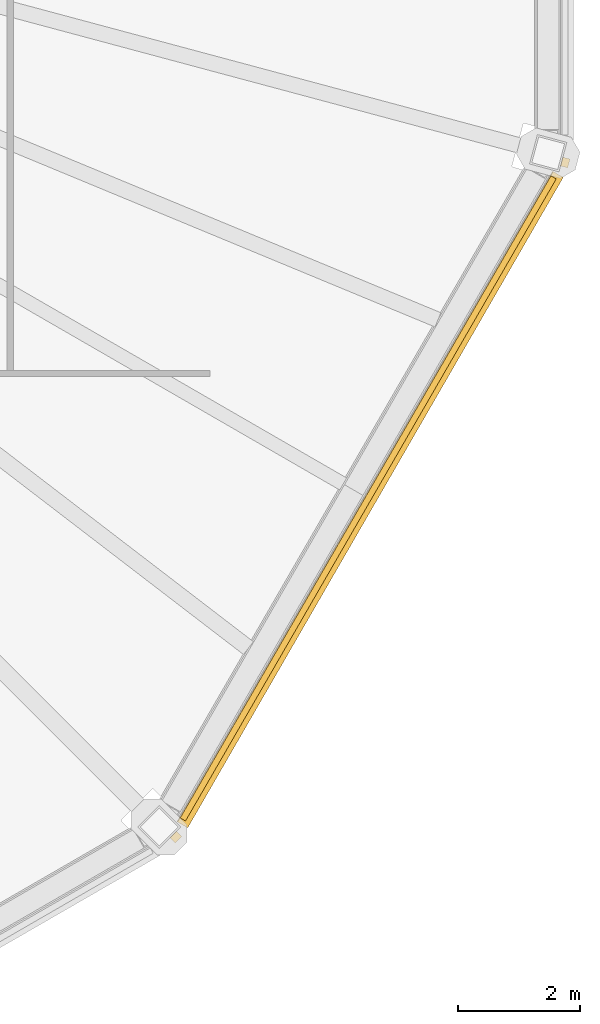
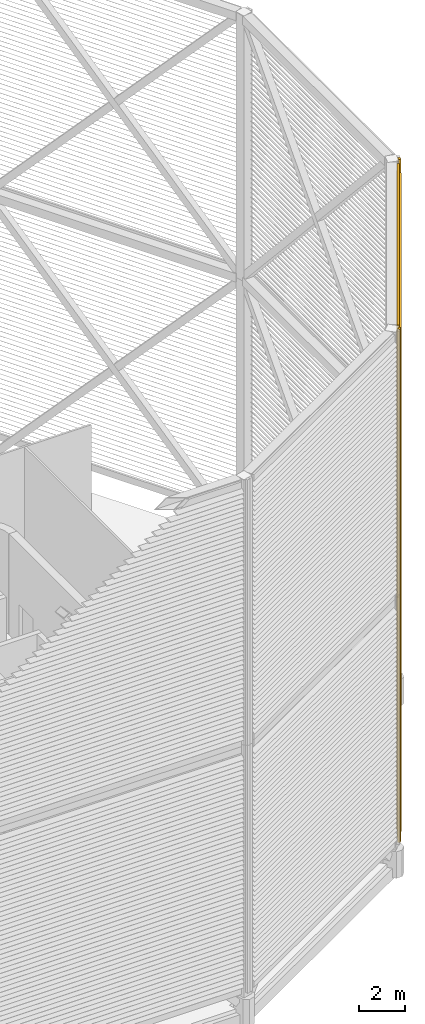
# One storey, part 12 of 18: 2 shading devices.
"""IFC4 building model written with IfcOpenShell, lengths in metres."""

from ifc_helpers import new_model, si_unit, direction, frame, origin, origin_2d, place, context, subcontext, project, spatial, rectangle, extrude, material, type_object, element, save


model = new_model("IFC4")

# Units and contexts
model_context = context("Model", 3, precision=1e-05, world=origin(), true_north=direction((0.0, 1.0)))
body_context = subcontext(model_context, "Body", "Model", "MODEL_VIEW")
ifc_project = project(units=[si_unit("LENGTHUNIT", "METRE"), si_unit("AREAUNIT", "SQUARE_METRE"), si_unit("VOLUMEUNIT", "CUBIC_METRE"), si_unit("PLANEANGLEUNIT", "RADIAN"), si_unit("MASSUNIT", "GRAM", prefix="KILO")], contexts=[model_context])

# Site, building, storey
site_placement = place(None, origin())
site = spatial("IfcSite", under=ifc_project, at=site_placement, CompositionType="ELEMENT")
building_placement = place(site_placement, origin())
building = spatial("IfcBuilding", under=site, at=building_placement, Name="Sahrelin Media Tower", CompositionType="ELEMENT")
storey_placement = place(building_placement, frame((0.0, 0.0, 335.800048828125)))
storey = spatial("IfcBuildingStorey", under=building, at=storey_placement, Name="Crown", CompositionType="ELEMENT", Elevation=335.800048828125)

# Shading devices
ifc_material = material(Name="Champagne anodised aluminium 6063-T6", Category="aluminium")
shading_device_type = type_object("IfcShadingDeviceType", Name="Crown louvre screen", PredefinedType="USERDEFINED", material=ifc_material)
shading_device_1_placement = place(storey_placement, frame((17.44482421875, -17.44482421875, 0.949951171875), z_axis=(0.0, 0.0, 1.0), x_axis=(-0.500011000363, -0.866019052629, 0.0)))
element("IfcShadingDevice", 1, at=shading_device_1_placement, inside=storey, type_object=shading_device_type, Name="Crown louvre screen CS-10A", ObjectType="LOUVRE", PredefinedType="USERDEFINED", context=body_context, shape_type="SweptSolid", body=[
    extrude(rectangle(XDim=0.10009765625, YDim=0.35009765625, at=origin_2d()), frame((-0.300048828125, 0.27490234375, 12.875), z_axis=(-1.0, 0.0, 0.0), x_axis=(0.0, -1.0, 0.0)), (0.0, 0.0, 1.0), 12.17041015625),
    extrude(rectangle(XDim=0.10009765625, YDim=0.35009765625, at=origin_2d()), frame((-0.300048828125, 0.27490234375, 0.175048828125), z_axis=(-1.0, 0.0, 0.0), x_axis=(0.0, -1.0, 0.0)), (0.0, 0.0, 1.0), 12.17041015625),
    extrude(rectangle(XDim=0.1201171875, YDim=0.14990234375, at=origin_2d()), frame((0.0078125, 0.31884765625, 0.0), z_axis=(0.0, 0.0, 1.0), x_axis=(0.258817359244, 0.965926278012, 0.0)), (0.0, 0.0, 1.0), 13.050048828125),
    extrude(rectangle(XDim=0.1201171875, YDim=0.14990234375, at=origin_2d()), frame((-12.7783203125, 0.31884765625, 0.0), z_axis=(0.0, 0.0, 1.0), x_axis=(-0.258820730961, 0.965925374563, 0.0)), (0.0, 0.0, 1.0), 13.050048828125),
    extrude(rectangle(XDim=0.25, YDim=0.02001953125, at=origin_2d()), frame((-0.219970703125, 0.31005859375, 0.449951171875), z_axis=(-1.0, 0.0, 0.0), x_axis=(0.0, -0.766044443119, 0.642787609687)), (0.0, 0.0, 1.0), 12.33056640625),
    extrude(rectangle(XDim=0.25, YDim=0.02001953125, at=origin_2d()), frame((-0.219970703125, 0.31005859375, 0.699951171875), z_axis=(-1.0, 0.0, 0.0), x_axis=(0.0, -0.766044443119, 0.642787609687)), (0.0, 0.0, 1.0), 12.33056640625),
    extrude(rectangle(XDim=0.25, YDim=0.02001953125, at=origin_2d()), frame((-0.219970703125, 0.31005859375, 0.949951171875), z_axis=(-1.0, 0.0, 0.0), x_axis=(0.0, -0.766044443119, 0.642787609687)), (0.0, 0.0, 1.0), 12.33056640625),
    extrude(rectangle(XDim=0.25, YDim=0.02001953125, at=origin_2d()), frame((-0.219970703125, 0.31005859375, 1.199951171875), z_axis=(-1.0, 0.0, 0.0), x_axis=(0.0, -0.766044443119, 0.642787609687)), (0.0, 0.0, 1.0), 12.33056640625),
    extrude(rectangle(XDim=0.25, YDim=0.02001953125, at=origin_2d()), frame((-0.219970703125, 0.31005859375, 1.449951171875), z_axis=(-1.0, 0.0, 0.0), x_axis=(0.0, -0.766044443119, 0.642787609687)), (0.0, 0.0, 1.0), 12.33056640625),
    extrude(rectangle(XDim=0.25, YDim=0.02001953125, at=origin_2d()), frame((-0.219970703125, 0.31005859375, 1.699951171875), z_axis=(-1.0, 0.0, 0.0), x_axis=(0.0, -0.766044443119, 0.642787609687)), (0.0, 0.0, 1.0), 12.33056640625),
    extrude(rectangle(XDim=0.25, YDim=0.02001953125, at=origin_2d()), frame((-0.219970703125, 0.31005859375, 1.949951171875), z_axis=(-1.0, 0.0, 0.0), x_axis=(0.0, -0.766044443119, 0.642787609687)), (0.0, 0.0, 1.0), 12.33056640625),
    extrude(rectangle(XDim=0.25, YDim=0.02001953125, at=origin_2d()), frame((-0.219970703125, 0.31005859375, 2.199951171875), z_axis=(-1.0, 0.0, 0.0), x_axis=(0.0, -0.766044443119, 0.642787609687)), (0.0, 0.0, 1.0), 12.33056640625),
    extrude(rectangle(XDim=0.25, YDim=0.02001953125, at=origin_2d()), frame((-0.219970703125, 0.31005859375, 2.449951171875), z_axis=(-1.0, 0.0, 0.0), x_axis=(0.0, -0.766044443119, 0.642787609687)), (0.0, 0.0, 1.0), 12.33056640625),
    extrude(rectangle(XDim=0.25, YDim=0.02001953125, at=origin_2d()), frame((-0.219970703125, 0.31005859375, 2.699951171875), z_axis=(-1.0, 0.0, 0.0), x_axis=(0.0, -0.766044443119, 0.642787609687)), (0.0, 0.0, 1.0), 12.33056640625),
    extrude(rectangle(XDim=0.25, YDim=0.02001953125, at=origin_2d()), frame((-0.219970703125, 0.31005859375, 2.949951171875), z_axis=(-1.0, 0.0, 0.0), x_axis=(0.0, -0.766044443119, 0.642787609687)), (0.0, 0.0, 1.0), 12.33056640625),
    extrude(rectangle(XDim=0.25, YDim=0.02001953125, at=origin_2d()), frame((-0.219970703125, 0.31005859375, 3.199951171875), z_axis=(-1.0, 0.0, 0.0), x_axis=(0.0, -0.766044443119, 0.642787609687)), (0.0, 0.0, 1.0), 12.33056640625),
    extrude(rectangle(XDim=0.25, YDim=0.02001953125, at=origin_2d()), frame((-0.219970703125, 0.31005859375, 3.449951171875), z_axis=(-1.0, 0.0, 0.0), x_axis=(0.0, -0.766044443119, 0.642787609687)), (0.0, 0.0, 1.0), 12.33056640625),
    extrude(rectangle(XDim=0.25, YDim=0.02001953125, at=origin_2d()), frame((-0.219970703125, 0.31005859375, 3.699951171875), z_axis=(-1.0, 0.0, 0.0), x_axis=(0.0, -0.766044443119, 0.642787609687)), (0.0, 0.0, 1.0), 12.33056640625),
    extrude(rectangle(XDim=0.25, YDim=0.02001953125, at=origin_2d()), frame((-0.219970703125, 0.31005859375, 3.949951171875), z_axis=(-1.0, 0.0, 0.0), x_axis=(0.0, -0.766044443119, 0.642787609687)), (0.0, 0.0, 1.0), 12.33056640625),
    extrude(rectangle(XDim=0.25, YDim=0.02001953125, at=origin_2d()), frame((-0.219970703125, 0.31005859375, 4.199951171875), z_axis=(-1.0, 0.0, 0.0), x_axis=(0.0, -0.766044443119, 0.642787609687)), (0.0, 0.0, 1.0), 12.33056640625),
    extrude(rectangle(XDim=0.25, YDim=0.02001953125, at=origin_2d()), frame((-0.219970703125, 0.31005859375, 4.449951171875), z_axis=(-1.0, 0.0, 0.0), x_axis=(0.0, -0.766044443119, 0.642787609687)), (0.0, 0.0, 1.0), 12.33056640625),
    extrude(rectangle(XDim=0.25, YDim=0.02001953125, at=origin_2d()), frame((-0.219970703125, 0.31005859375, 4.699951171875), z_axis=(-1.0, 0.0, 0.0), x_axis=(0.0, -0.766044443119, 0.642787609687)), (0.0, 0.0, 1.0), 12.33056640625),
    extrude(rectangle(XDim=0.25, YDim=0.02001953125, at=origin_2d()), frame((-0.219970703125, 0.31005859375, 4.949951171875), z_axis=(-1.0, 0.0, 0.0), x_axis=(0.0, -0.766044443119, 0.642787609687)), (0.0, 0.0, 1.0), 12.33056640625),
    extrude(rectangle(XDim=0.25, YDim=0.02001953125, at=origin_2d()), frame((-0.219970703125, 0.31005859375, 5.199951171875), z_axis=(-1.0, 0.0, 0.0), x_axis=(0.0, -0.766044443119, 0.642787609687)), (0.0, 0.0, 1.0), 12.33056640625),
    extrude(rectangle(XDim=0.25, YDim=0.02001953125, at=origin_2d()), frame((-0.219970703125, 0.31005859375, 5.449951171875), z_axis=(-1.0, 0.0, 0.0), x_axis=(0.0, -0.766044443119, 0.642787609687)), (0.0, 0.0, 1.0), 12.33056640625),
    extrude(rectangle(XDim=0.25, YDim=0.02001953125, at=origin_2d()), frame((-0.219970703125, 0.31005859375, 5.699951171875), z_axis=(-1.0, 0.0, 0.0), x_axis=(0.0, -0.766044443119, 0.642787609687)), (0.0, 0.0, 1.0), 12.33056640625),
    extrude(rectangle(XDim=0.25, YDim=0.02001953125, at=origin_2d()), frame((-0.219970703125, 0.31005859375, 5.949951171875), z_axis=(-1.0, 0.0, 0.0), x_axis=(0.0, -0.766044443119, 0.642787609687)), (0.0, 0.0, 1.0), 12.33056640625),
    extrude(rectangle(XDim=0.25, YDim=0.02001953125, at=origin_2d()), frame((-0.219970703125, 0.31005859375, 6.199951171875), z_axis=(-1.0, 0.0, 0.0), x_axis=(0.0, -0.766044443119, 0.642787609687)), (0.0, 0.0, 1.0), 12.33056640625),
    extrude(rectangle(XDim=0.25, YDim=0.02001953125, at=origin_2d()), frame((-0.219970703125, 0.31005859375, 6.449951171875), z_axis=(-1.0, 0.0, 0.0), x_axis=(0.0, -0.766044443119, 0.642787609687)), (0.0, 0.0, 1.0), 12.33056640625),
    extrude(rectangle(XDim=0.25, YDim=0.02001953125, at=origin_2d()), frame((-0.219970703125, 0.31005859375, 6.699951171875), z_axis=(-1.0, 0.0, 0.0), x_axis=(0.0, -0.766044443119, 0.642787609687)), (0.0, 0.0, 1.0), 12.33056640625),
    extrude(rectangle(XDim=0.25, YDim=0.02001953125, at=origin_2d()), frame((-0.219970703125, 0.31005859375, 6.949951171875), z_axis=(-1.0, 0.0, 0.0), x_axis=(0.0, -0.766044443119, 0.642787609687)), (0.0, 0.0, 1.0), 12.33056640625),
    extrude(rectangle(XDim=0.25, YDim=0.02001953125, at=origin_2d()), frame((-0.219970703125, 0.31005859375, 7.199951171875), z_axis=(-1.0, 0.0, 0.0), x_axis=(0.0, -0.766044443119, 0.642787609687)), (0.0, 0.0, 1.0), 12.33056640625),
    extrude(rectangle(XDim=0.25, YDim=0.02001953125, at=origin_2d()), frame((-0.219970703125, 0.31005859375, 7.449951171875), z_axis=(-1.0, 0.0, 0.0), x_axis=(0.0, -0.766044443119, 0.642787609687)), (0.0, 0.0, 1.0), 12.33056640625),
    extrude(rectangle(XDim=0.25, YDim=0.02001953125, at=origin_2d()), frame((-0.219970703125, 0.31005859375, 7.699951171875), z_axis=(-1.0, 0.0, 0.0), x_axis=(0.0, -0.766044443119, 0.642787609687)), (0.0, 0.0, 1.0), 12.33056640625),
    extrude(rectangle(XDim=0.25, YDim=0.02001953125, at=origin_2d()), frame((-0.219970703125, 0.31005859375, 7.949951171875), z_axis=(-1.0, 0.0, 0.0), x_axis=(0.0, -0.766044443119, 0.642787609687)), (0.0, 0.0, 1.0), 12.33056640625),
    extrude(rectangle(XDim=0.25, YDim=0.02001953125, at=origin_2d()), frame((-0.219970703125, 0.31005859375, 8.199951171875), z_axis=(-1.0, 0.0, 0.0), x_axis=(0.0, -0.766044443119, 0.642787609687)), (0.0, 0.0, 1.0), 12.33056640625),
    extrude(rectangle(XDim=0.25, YDim=0.02001953125, at=origin_2d()), frame((-0.219970703125, 0.31005859375, 8.449951171875), z_axis=(-1.0, 0.0, 0.0), x_axis=(0.0, -0.766044443119, 0.642787609687)), (0.0, 0.0, 1.0), 12.33056640625),
    extrude(rectangle(XDim=0.25, YDim=0.02001953125, at=origin_2d()), frame((-0.219970703125, 0.31005859375, 8.699951171875), z_axis=(-1.0, 0.0, 0.0), x_axis=(0.0, -0.766044443119, 0.642787609687)), (0.0, 0.0, 1.0), 12.33056640625),
    extrude(rectangle(XDim=0.25, YDim=0.02001953125, at=origin_2d()), frame((-0.219970703125, 0.31005859375, 8.949951171875), z_axis=(-1.0, 0.0, 0.0), x_axis=(0.0, -0.766044443119, 0.642787609687)), (0.0, 0.0, 1.0), 12.33056640625),
    extrude(rectangle(XDim=0.25, YDim=0.02001953125, at=origin_2d()), frame((-0.219970703125, 0.31005859375, 9.199951171875), z_axis=(-1.0, 0.0, 0.0), x_axis=(0.0, -0.766044443119, 0.642787609687)), (0.0, 0.0, 1.0), 12.33056640625),
    extrude(rectangle(XDim=0.25, YDim=0.02001953125, at=origin_2d()), frame((-0.219970703125, 0.31005859375, 9.449951171875), z_axis=(-1.0, 0.0, 0.0), x_axis=(0.0, -0.766044443119, 0.642787609687)), (0.0, 0.0, 1.0), 12.33056640625),
    extrude(rectangle(XDim=0.25, YDim=0.02001953125, at=origin_2d()), frame((-0.219970703125, 0.31005859375, 9.699951171875), z_axis=(-1.0, 0.0, 0.0), x_axis=(0.0, -0.766044443119, 0.642787609687)), (0.0, 0.0, 1.0), 12.33056640625),
    extrude(rectangle(XDim=0.25, YDim=0.02001953125, at=origin_2d()), frame((-0.219970703125, 0.31005859375, 9.949951171875), z_axis=(-1.0, 0.0, 0.0), x_axis=(0.0, -0.766044443119, 0.642787609687)), (0.0, 0.0, 1.0), 12.33056640625),
    extrude(rectangle(XDim=0.25, YDim=0.02001953125, at=origin_2d()), frame((-0.219970703125, 0.31005859375, 10.199951171875), z_axis=(-1.0, 0.0, 0.0), x_axis=(0.0, -0.766044443119, 0.642787609687)), (0.0, 0.0, 1.0), 12.33056640625),
    extrude(rectangle(XDim=0.25, YDim=0.02001953125, at=origin_2d()), frame((-0.219970703125, 0.31005859375, 10.449951171875), z_axis=(-1.0, 0.0, 0.0), x_axis=(0.0, -0.766044443119, 0.642787609687)), (0.0, 0.0, 1.0), 12.33056640625),
    extrude(rectangle(XDim=0.25, YDim=0.02001953125, at=origin_2d()), frame((-0.219970703125, 0.31005859375, 10.699951171875), z_axis=(-1.0, 0.0, 0.0), x_axis=(0.0, -0.766044443119, 0.642787609687)), (0.0, 0.0, 1.0), 12.33056640625),
    extrude(rectangle(XDim=0.25, YDim=0.02001953125, at=origin_2d()), frame((-0.219970703125, 0.31005859375, 10.949951171875), z_axis=(-1.0, 0.0, 0.0), x_axis=(0.0, -0.766044443119, 0.642787609687)), (0.0, 0.0, 1.0), 12.33056640625),
    extrude(rectangle(XDim=0.25, YDim=0.02001953125, at=origin_2d()), frame((-0.219970703125, 0.31005859375, 11.199951171875), z_axis=(-1.0, 0.0, 0.0), x_axis=(0.0, -0.766044443119, 0.642787609687)), (0.0, 0.0, 1.0), 12.33056640625),
    extrude(rectangle(XDim=0.25, YDim=0.02001953125, at=origin_2d()), frame((-0.219970703125, 0.31005859375, 11.449951171875), z_axis=(-1.0, 0.0, 0.0), x_axis=(0.0, -0.766044443119, 0.642787609687)), (0.0, 0.0, 1.0), 12.33056640625),
    extrude(rectangle(XDim=0.25, YDim=0.02001953125, at=origin_2d()), frame((-0.219970703125, 0.31005859375, 11.699951171875), z_axis=(-1.0, 0.0, 0.0), x_axis=(0.0, -0.766044443119, 0.642787609687)), (0.0, 0.0, 1.0), 12.33056640625),
    extrude(rectangle(XDim=0.25, YDim=0.02001953125, at=origin_2d()), frame((-0.219970703125, 0.31005859375, 11.949951171875), z_axis=(-1.0, 0.0, 0.0), x_axis=(0.0, -0.766044443119, 0.642787609687)), (0.0, 0.0, 1.0), 12.33056640625),
    extrude(rectangle(XDim=0.25, YDim=0.02001953125, at=origin_2d()), frame((-0.219970703125, 0.31005859375, 12.199951171875), z_axis=(-1.0, 0.0, 0.0), x_axis=(0.0, -0.766044443119, 0.642787609687)), (0.0, 0.0, 1.0), 12.33056640625),
    extrude(rectangle(XDim=0.25, YDim=0.02001953125, at=origin_2d()), frame((-0.219970703125, 0.31005859375, 12.449951171875), z_axis=(-1.0, 0.0, 0.0), x_axis=(0.0, -0.766044443119, 0.642787609687)), (0.0, 0.0, 1.0), 12.33056640625),
])
shading_device_2_placement = place(storey_placement, frame((17.44482421875, -17.44482421875, 14.0), z_axis=(0.0, 0.0, 1.0), x_axis=(-0.500011000363, -0.866019052629, 0.0)))
element("IfcShadingDevice", 2, at=shading_device_2_placement, inside=storey, type_object=shading_device_type, Name="Crown louvre screen CS-10B", ObjectType="LOUVRE", PredefinedType="USERDEFINED", context=body_context, shape_type="SweptSolid", body=[
    extrude(rectangle(XDim=0.10009765625, YDim=0.35009765625, at=origin_2d()), frame((-0.300048828125, 0.27490234375, 13.77490234375), z_axis=(-1.0, 0.0, 0.0), x_axis=(0.0, -1.0, 0.0)), (0.0, 0.0, 1.0), 12.17041015625),
    extrude(rectangle(XDim=0.10009765625, YDim=0.35009765625, at=origin_2d()), frame((-0.300048828125, 0.27490234375, 0.175048828125), z_axis=(-1.0, 0.0, 0.0), x_axis=(0.0, -1.0, 0.0)), (0.0, 0.0, 1.0), 12.17041015625),
    extrude(rectangle(XDim=0.1201171875, YDim=0.14990234375, at=origin_2d()), frame((0.0078125, 0.31884765625, 0.0), z_axis=(0.0, 0.0, 1.0), x_axis=(0.258817359244, 0.965926278012, 0.0)), (0.0, 0.0, 1.0), 14.0),
    extrude(rectangle(XDim=0.1201171875, YDim=0.14990234375, at=origin_2d()), frame((-12.7783203125, 0.31884765625, 0.0), z_axis=(0.0, 0.0, 1.0), x_axis=(-0.258820730961, 0.965925374563, 0.0)), (0.0, 0.0, 1.0), 14.0),
    extrude(rectangle(XDim=0.25, YDim=0.02001953125, at=origin_2d()), frame((-0.219970703125, 0.31005859375, 0.449951171875), z_axis=(-1.0, 0.0, 0.0), x_axis=(0.0, -0.766044443119, 0.642787609687)), (0.0, 0.0, 1.0), 12.33056640625),
    extrude(rectangle(XDim=0.25, YDim=0.02001953125, at=origin_2d()), frame((-0.219970703125, 0.31005859375, 0.699951171875), z_axis=(-1.0, 0.0, 0.0), x_axis=(0.0, -0.766044443119, 0.642787609687)), (0.0, 0.0, 1.0), 12.33056640625),
    extrude(rectangle(XDim=0.25, YDim=0.02001953125, at=origin_2d()), frame((-0.219970703125, 0.31005859375, 0.949951171875), z_axis=(-1.0, 0.0, 0.0), x_axis=(0.0, -0.766044443119, 0.642787609687)), (0.0, 0.0, 1.0), 12.33056640625),
    extrude(rectangle(XDim=0.25, YDim=0.02001953125, at=origin_2d()), frame((-0.219970703125, 0.31005859375, 1.199951171875), z_axis=(-1.0, 0.0, 0.0), x_axis=(0.0, -0.766044443119, 0.642787609687)), (0.0, 0.0, 1.0), 12.33056640625),
    extrude(rectangle(XDim=0.25, YDim=0.02001953125, at=origin_2d()), frame((-0.219970703125, 0.31005859375, 1.449951171875), z_axis=(-1.0, 0.0, 0.0), x_axis=(0.0, -0.766044443119, 0.642787609687)), (0.0, 0.0, 1.0), 12.33056640625),
    extrude(rectangle(XDim=0.25, YDim=0.02001953125, at=origin_2d()), frame((-0.219970703125, 0.31005859375, 1.699951171875), z_axis=(-1.0, 0.0, 0.0), x_axis=(0.0, -0.766044443119, 0.642787609687)), (0.0, 0.0, 1.0), 12.33056640625),
    extrude(rectangle(XDim=0.25, YDim=0.02001953125, at=origin_2d()), frame((-0.219970703125, 0.31005859375, 1.949951171875), z_axis=(-1.0, 0.0, 0.0), x_axis=(0.0, -0.766044443119, 0.642787609687)), (0.0, 0.0, 1.0), 12.33056640625),
    extrude(rectangle(XDim=0.25, YDim=0.02001953125, at=origin_2d()), frame((-0.219970703125, 0.31005859375, 2.199951171875), z_axis=(-1.0, 0.0, 0.0), x_axis=(0.0, -0.766044443119, 0.642787609687)), (0.0, 0.0, 1.0), 12.33056640625),
    extrude(rectangle(XDim=0.25, YDim=0.02001953125, at=origin_2d()), frame((-0.219970703125, 0.31005859375, 2.449951171875), z_axis=(-1.0, 0.0, 0.0), x_axis=(0.0, -0.766044443119, 0.642787609687)), (0.0, 0.0, 1.0), 12.33056640625),
    extrude(rectangle(XDim=0.25, YDim=0.02001953125, at=origin_2d()), frame((-0.219970703125, 0.31005859375, 2.699951171875), z_axis=(-1.0, 0.0, 0.0), x_axis=(0.0, -0.766044443119, 0.642787609687)), (0.0, 0.0, 1.0), 12.33056640625),
    extrude(rectangle(XDim=0.25, YDim=0.02001953125, at=origin_2d()), frame((-0.219970703125, 0.31005859375, 2.949951171875), z_axis=(-1.0, 0.0, 0.0), x_axis=(0.0, -0.766044443119, 0.642787609687)), (0.0, 0.0, 1.0), 12.33056640625),
    extrude(rectangle(XDim=0.25, YDim=0.02001953125, at=origin_2d()), frame((-0.219970703125, 0.31005859375, 3.199951171875), z_axis=(-1.0, 0.0, 0.0), x_axis=(0.0, -0.766044443119, 0.642787609687)), (0.0, 0.0, 1.0), 12.33056640625),
    extrude(rectangle(XDim=0.25, YDim=0.02001953125, at=origin_2d()), frame((-0.219970703125, 0.31005859375, 3.449951171875), z_axis=(-1.0, 0.0, 0.0), x_axis=(0.0, -0.766044443119, 0.642787609687)), (0.0, 0.0, 1.0), 12.33056640625),
    extrude(rectangle(XDim=0.25, YDim=0.02001953125, at=origin_2d()), frame((-0.219970703125, 0.31005859375, 3.699951171875), z_axis=(-1.0, 0.0, 0.0), x_axis=(0.0, -0.766044443119, 0.642787609687)), (0.0, 0.0, 1.0), 12.33056640625),
    extrude(rectangle(XDim=0.25, YDim=0.02001953125, at=origin_2d()), frame((-0.219970703125, 0.31005859375, 3.949951171875), z_axis=(-1.0, 0.0, 0.0), x_axis=(0.0, -0.766044443119, 0.642787609687)), (0.0, 0.0, 1.0), 12.33056640625),
    extrude(rectangle(XDim=0.25, YDim=0.02001953125, at=origin_2d()), frame((-0.219970703125, 0.31005859375, 4.199951171875), z_axis=(-1.0, 0.0, 0.0), x_axis=(0.0, -0.766044443119, 0.642787609687)), (0.0, 0.0, 1.0), 12.33056640625),
    extrude(rectangle(XDim=0.25, YDim=0.02001953125, at=origin_2d()), frame((-0.219970703125, 0.31005859375, 4.449951171875), z_axis=(-1.0, 0.0, 0.0), x_axis=(0.0, -0.766044443119, 0.642787609687)), (0.0, 0.0, 1.0), 12.33056640625),
    extrude(rectangle(XDim=0.25, YDim=0.02001953125, at=origin_2d()), frame((-0.219970703125, 0.31005859375, 4.699951171875), z_axis=(-1.0, 0.0, 0.0), x_axis=(0.0, -0.766044443119, 0.642787609687)), (0.0, 0.0, 1.0), 12.33056640625),
    extrude(rectangle(XDim=0.25, YDim=0.02001953125, at=origin_2d()), frame((-0.219970703125, 0.31005859375, 4.949951171875), z_axis=(-1.0, 0.0, 0.0), x_axis=(0.0, -0.766044443119, 0.642787609687)), (0.0, 0.0, 1.0), 12.33056640625),
    extrude(rectangle(XDim=0.25, YDim=0.02001953125, at=origin_2d()), frame((-0.219970703125, 0.31005859375, 5.199951171875), z_axis=(-1.0, 0.0, 0.0), x_axis=(0.0, -0.766044443119, 0.642787609687)), (0.0, 0.0, 1.0), 12.33056640625),
    extrude(rectangle(XDim=0.25, YDim=0.02001953125, at=origin_2d()), frame((-0.219970703125, 0.31005859375, 5.449951171875), z_axis=(-1.0, 0.0, 0.0), x_axis=(0.0, -0.766044443119, 0.642787609687)), (0.0, 0.0, 1.0), 12.33056640625),
    extrude(rectangle(XDim=0.25, YDim=0.02001953125, at=origin_2d()), frame((-0.219970703125, 0.31005859375, 5.699951171875), z_axis=(-1.0, 0.0, 0.0), x_axis=(0.0, -0.766044443119, 0.642787609687)), (0.0, 0.0, 1.0), 12.33056640625),
    extrude(rectangle(XDim=0.25, YDim=0.02001953125, at=origin_2d()), frame((-0.219970703125, 0.31005859375, 5.949951171875), z_axis=(-1.0, 0.0, 0.0), x_axis=(0.0, -0.766044443119, 0.642787609687)), (0.0, 0.0, 1.0), 12.33056640625),
    extrude(rectangle(XDim=0.25, YDim=0.02001953125, at=origin_2d()), frame((-0.219970703125, 0.31005859375, 6.199951171875), z_axis=(-1.0, 0.0, 0.0), x_axis=(0.0, -0.766044443119, 0.642787609687)), (0.0, 0.0, 1.0), 12.33056640625),
    extrude(rectangle(XDim=0.25, YDim=0.02001953125, at=origin_2d()), frame((-0.219970703125, 0.31005859375, 6.449951171875), z_axis=(-1.0, 0.0, 0.0), x_axis=(0.0, -0.766044443119, 0.642787609687)), (0.0, 0.0, 1.0), 12.33056640625),
    extrude(rectangle(XDim=0.25, YDim=0.02001953125, at=origin_2d()), frame((-0.219970703125, 0.31005859375, 6.699951171875), z_axis=(-1.0, 0.0, 0.0), x_axis=(0.0, -0.766044443119, 0.642787609687)), (0.0, 0.0, 1.0), 12.33056640625),
    extrude(rectangle(XDim=0.25, YDim=0.02001953125, at=origin_2d()), frame((-0.219970703125, 0.31005859375, 6.949951171875), z_axis=(-1.0, 0.0, 0.0), x_axis=(0.0, -0.766044443119, 0.642787609687)), (0.0, 0.0, 1.0), 12.33056640625),
    extrude(rectangle(XDim=0.25, YDim=0.02001953125, at=origin_2d()), frame((-0.219970703125, 0.31005859375, 7.199951171875), z_axis=(-1.0, 0.0, 0.0), x_axis=(0.0, -0.766044443119, 0.642787609687)), (0.0, 0.0, 1.0), 12.33056640625),
    extrude(rectangle(XDim=0.25, YDim=0.02001953125, at=origin_2d()), frame((-0.219970703125, 0.31005859375, 7.449951171875), z_axis=(-1.0, 0.0, 0.0), x_axis=(0.0, -0.766044443119, 0.642787609687)), (0.0, 0.0, 1.0), 12.33056640625),
    extrude(rectangle(XDim=0.25, YDim=0.02001953125, at=origin_2d()), frame((-0.219970703125, 0.31005859375, 7.699951171875), z_axis=(-1.0, 0.0, 0.0), x_axis=(0.0, -0.766044443119, 0.642787609687)), (0.0, 0.0, 1.0), 12.33056640625),
    extrude(rectangle(XDim=0.25, YDim=0.02001953125, at=origin_2d()), frame((-0.219970703125, 0.31005859375, 7.949951171875), z_axis=(-1.0, 0.0, 0.0), x_axis=(0.0, -0.766044443119, 0.642787609687)), (0.0, 0.0, 1.0), 12.33056640625),
    extrude(rectangle(XDim=0.25, YDim=0.02001953125, at=origin_2d()), frame((-0.219970703125, 0.31005859375, 8.199951171875), z_axis=(-1.0, 0.0, 0.0), x_axis=(0.0, -0.766044443119, 0.642787609687)), (0.0, 0.0, 1.0), 12.33056640625),
    extrude(rectangle(XDim=0.25, YDim=0.02001953125, at=origin_2d()), frame((-0.219970703125, 0.31005859375, 8.449951171875), z_axis=(-1.0, 0.0, 0.0), x_axis=(0.0, -0.766044443119, 0.642787609687)), (0.0, 0.0, 1.0), 12.33056640625),
    extrude(rectangle(XDim=0.25, YDim=0.02001953125, at=origin_2d()), frame((-0.219970703125, 0.31005859375, 8.699951171875), z_axis=(-1.0, 0.0, 0.0), x_axis=(0.0, -0.766044443119, 0.642787609687)), (0.0, 0.0, 1.0), 12.33056640625),
    extrude(rectangle(XDim=0.25, YDim=0.02001953125, at=origin_2d()), frame((-0.219970703125, 0.31005859375, 8.949951171875), z_axis=(-1.0, 0.0, 0.0), x_axis=(0.0, -0.766044443119, 0.642787609687)), (0.0, 0.0, 1.0), 12.33056640625),
    extrude(rectangle(XDim=0.25, YDim=0.02001953125, at=origin_2d()), frame((-0.219970703125, 0.31005859375, 9.199951171875), z_axis=(-1.0, 0.0, 0.0), x_axis=(0.0, -0.766044443119, 0.642787609687)), (0.0, 0.0, 1.0), 12.33056640625),
    extrude(rectangle(XDim=0.25, YDim=0.02001953125, at=origin_2d()), frame((-0.219970703125, 0.31005859375, 9.449951171875), z_axis=(-1.0, 0.0, 0.0), x_axis=(0.0, -0.766044443119, 0.642787609687)), (0.0, 0.0, 1.0), 12.33056640625),
    extrude(rectangle(XDim=0.25, YDim=0.02001953125, at=origin_2d()), frame((-0.219970703125, 0.31005859375, 9.699951171875), z_axis=(-1.0, 0.0, 0.0), x_axis=(0.0, -0.766044443119, 0.642787609687)), (0.0, 0.0, 1.0), 12.33056640625),
    extrude(rectangle(XDim=0.25, YDim=0.02001953125, at=origin_2d()), frame((-0.219970703125, 0.31005859375, 9.949951171875), z_axis=(-1.0, 0.0, 0.0), x_axis=(0.0, -0.766044443119, 0.642787609687)), (0.0, 0.0, 1.0), 12.33056640625),
    extrude(rectangle(XDim=0.25, YDim=0.02001953125, at=origin_2d()), frame((-0.219970703125, 0.31005859375, 10.199951171875), z_axis=(-1.0, 0.0, 0.0), x_axis=(0.0, -0.766044443119, 0.642787609687)), (0.0, 0.0, 1.0), 12.33056640625),
    extrude(rectangle(XDim=0.25, YDim=0.02001953125, at=origin_2d()), frame((-0.219970703125, 0.31005859375, 10.449951171875), z_axis=(-1.0, 0.0, 0.0), x_axis=(0.0, -0.766044443119, 0.642787609687)), (0.0, 0.0, 1.0), 12.33056640625),
    extrude(rectangle(XDim=0.25, YDim=0.02001953125, at=origin_2d()), frame((-0.219970703125, 0.31005859375, 10.699951171875), z_axis=(-1.0, 0.0, 0.0), x_axis=(0.0, -0.766044443119, 0.642787609687)), (0.0, 0.0, 1.0), 12.33056640625),
    extrude(rectangle(XDim=0.25, YDim=0.02001953125, at=origin_2d()), frame((-0.219970703125, 0.31005859375, 10.949951171875), z_axis=(-1.0, 0.0, 0.0), x_axis=(0.0, -0.766044443119, 0.642787609687)), (0.0, 0.0, 1.0), 12.33056640625),
    extrude(rectangle(XDim=0.25, YDim=0.02001953125, at=origin_2d()), frame((-0.219970703125, 0.31005859375, 11.199951171875), z_axis=(-1.0, 0.0, 0.0), x_axis=(0.0, -0.766044443119, 0.642787609687)), (0.0, 0.0, 1.0), 12.33056640625),
    extrude(rectangle(XDim=0.25, YDim=0.02001953125, at=origin_2d()), frame((-0.219970703125, 0.31005859375, 11.449951171875), z_axis=(-1.0, 0.0, 0.0), x_axis=(0.0, -0.766044443119, 0.642787609687)), (0.0, 0.0, 1.0), 12.33056640625),
    extrude(rectangle(XDim=0.25, YDim=0.02001953125, at=origin_2d()), frame((-0.219970703125, 0.31005859375, 11.699951171875), z_axis=(-1.0, 0.0, 0.0), x_axis=(0.0, -0.766044443119, 0.642787609687)), (0.0, 0.0, 1.0), 12.33056640625),
    extrude(rectangle(XDim=0.25, YDim=0.02001953125, at=origin_2d()), frame((-0.219970703125, 0.31005859375, 11.949951171875), z_axis=(-1.0, 0.0, 0.0), x_axis=(0.0, -0.766044443119, 0.642787609687)), (0.0, 0.0, 1.0), 12.33056640625),
    extrude(rectangle(XDim=0.25, YDim=0.02001953125, at=origin_2d()), frame((-0.219970703125, 0.31005859375, 12.199951171875), z_axis=(-1.0, 0.0, 0.0), x_axis=(0.0, -0.766044443119, 0.642787609687)), (0.0, 0.0, 1.0), 12.33056640625),
    extrude(rectangle(XDim=0.25, YDim=0.02001953125, at=origin_2d()), frame((-0.219970703125, 0.31005859375, 12.449951171875), z_axis=(-1.0, 0.0, 0.0), x_axis=(0.0, -0.766044443119, 0.642787609687)), (0.0, 0.0, 1.0), 12.33056640625),
    extrude(rectangle(XDim=0.25, YDim=0.02001953125, at=origin_2d()), frame((-0.219970703125, 0.31005859375, 12.699951171875), z_axis=(-1.0, 0.0, 0.0), x_axis=(0.0, -0.766044443119, 0.642787609687)), (0.0, 0.0, 1.0), 12.33056640625),
    extrude(rectangle(XDim=0.25, YDim=0.02001953125, at=origin_2d()), frame((-0.219970703125, 0.31005859375, 12.949951171875), z_axis=(-1.0, 0.0, 0.0), x_axis=(0.0, -0.766044443119, 0.642787609687)), (0.0, 0.0, 1.0), 12.33056640625),
    extrude(rectangle(XDim=0.25, YDim=0.02001953125, at=origin_2d()), frame((-0.219970703125, 0.31005859375, 13.199951171875), z_axis=(-1.0, 0.0, 0.0), x_axis=(0.0, -0.766044443119, 0.642787609687)), (0.0, 0.0, 1.0), 12.33056640625),
    extrude(rectangle(XDim=0.25, YDim=0.02001953125, at=origin_2d()), frame((-0.219970703125, 0.31005859375, 13.449951171875), z_axis=(-1.0, 0.0, 0.0), x_axis=(0.0, -0.766044443119, 0.642787609687)), (0.0, 0.0, 1.0), 12.33056640625),
])

save(model, "model.ifc")
